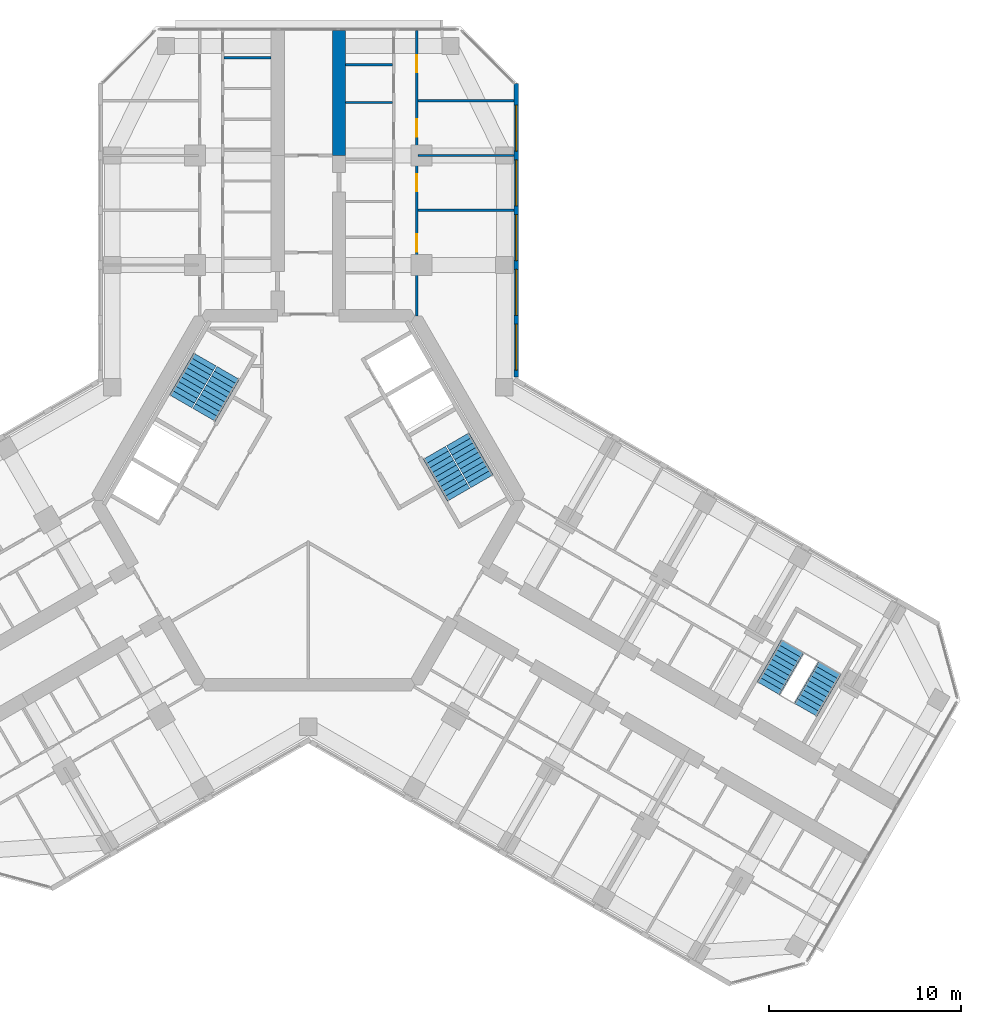
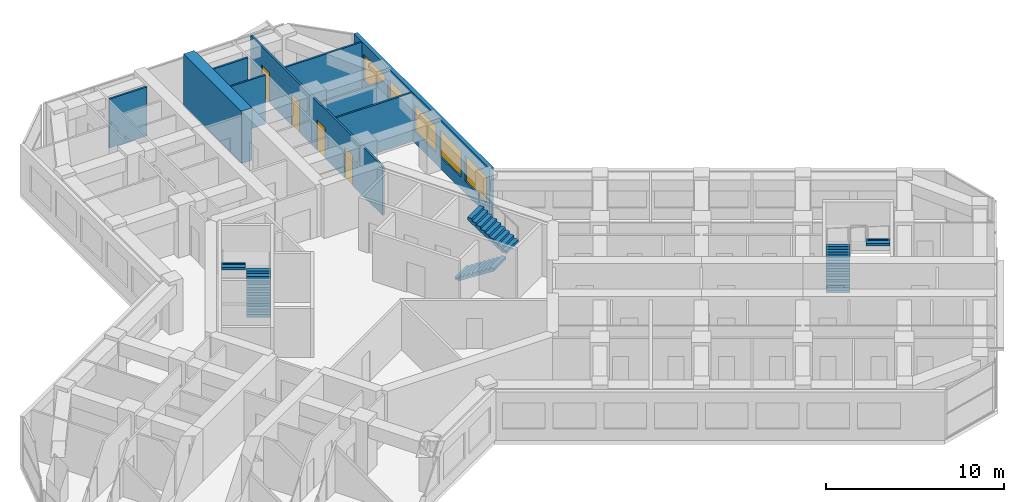
# One storey, part 15 of 16: 9 walls, 6 stair flights, 5 windows, 4 doors, 9 openings, 3 elements without a shape of their own.
"""IFC4 building model written with IfcOpenShell, lengths in metres."""

from ifc_helpers import new_model, si_unit, direction, frame, frame_2d, origin, place, context, subcontext, project, spatial, polyline, rectangle, outline, extrude, material, layer, layer_set, type_object, element, fill, aggregate, save


model = new_model("IFC4")

# Units and contexts
model_context = context("Model", 3, precision=1e-05, world=origin(), true_north=direction((0.0, 1.0)))
body_context = subcontext(model_context, "Body", "Model", "MODEL_VIEW")
ifc_project = project(units=[si_unit("LENGTHUNIT", "METRE"), si_unit("AREAUNIT", "SQUARE_METRE"), si_unit("VOLUMEUNIT", "CUBIC_METRE"), si_unit("PLANEANGLEUNIT", "RADIAN"), si_unit("MASSUNIT", "GRAM", prefix="KILO")], contexts=[model_context])

# Site, building, storey
site_placement = place(None, origin())
site = spatial("IfcSite", under=ifc_project, at=site_placement, CompositionType="ELEMENT")
building_placement = place(site_placement, origin())
building = spatial("IfcBuilding", under=site, at=building_placement, Name="Kosmar Iwan School Tower", CompositionType="ELEMENT")
storey_placement = place(building_placement, frame((0.0, 0.0, 219.0)))
storey = spatial("IfcBuildingStorey", under=building, at=storey_placement, Name="L55", CompositionType="ELEMENT", Elevation=219.0)

# Walls
ifc_material_1 = material(Name="Concrete C50/60", Category="concrete")
ifc_layer_1 = layer(ifc_material_1, 0.699951171875)
ifc_layer_set_1 = layer_set([ifc_layer_1], Name="Corridor buttress wall 700")
wall_type_1 = type_object("IfcWallType", Name="Corridor buttress wall 700", PredefinedType="SHEAR", material=ifc_layer_set_1)
wall_1_placement = place(storey_placement, frame((1.60009765625, 17.949951171875, 0.0), z_axis=(0.0, 0.0, 1.0), x_axis=(0.0, 1.0, 0.0)))
element("IfcWall", 1, at=wall_1_placement, inside=storey, type_object=wall_type_1, Name="Corridor wall AR bay 2", PredefinedType="SHEAR", context=body_context, shape_type="SweptSolid", body=[
    extrude(rectangle(XDim=6.4951171875, YDim=0.699951171875, at=frame_2d((3.24755859375, 0.0))), origin(), (0.0, 0.0, 1.0), 3.60009765625),
])
ifc_material_2 = material(Name="Gypsum board on steel studs", Category="steel")
ifc_layer_2 = layer(ifc_material_2, 0.1201171875)
ifc_layer_set_2 = layer_set([ifc_layer_2], Name="Dwelling partition 120")
wall_type_2 = type_object("IfcWallType", Name="Dwelling partition 120", PredefinedType="PARTITIONING", material=ifc_layer_set_2)
wall_2_placement = place(storey_placement, frame((-1.949951171875, 23.043212890625, 0.0), z_axis=(0.0, 0.0, 1.0), x_axis=(-1.0, 0.0, 0.0)))
element("IfcWall", 2, at=wall_2_placement, inside=storey, type_object=wall_type_2, Name="Partition L55-AL1-Y7", PredefinedType="PARTITIONING", context=body_context, shape_type="SweptSolid", body=[
    extrude(rectangle(XDim=2.43994140625, YDim=0.1201171875, at=frame_2d((1.219970703125, 0.0))), origin(), (0.0, 0.0, 1.0), 3.35009765625),
])

# Wall, openings, doors
wall_3_placement = place(storey_placement, frame((5.64990234375, 9.60009765625, 0.0), z_axis=(0.0, 0.0, 1.0), x_axis=(0.0, 1.0, 0.0)))
wall_3 = element("IfcWall", 3, at=wall_3_placement, inside=storey, type_object=wall_type_2, Name="Partition L55-AR1-W2", PredefinedType="PARTITIONING", context=body_context, shape_type="SweptSolid", body=[
    extrude(rectangle(XDim=14.844970703125, YDim=0.1201171875, at=frame_2d((7.42236328125, 0.0))), origin(), (0.0, 0.0, 1.0), 3.35009765625),
])
opening_1_placement = place(wall_3_placement, frame((3.35009765625, 0.0, 0.0)))
opening_1 = element("IfcOpeningElement", 4, at=opening_1_placement, cuts=wall_3, Name="Opening D2", PredefinedType="OPENING", context=body_context, shape_type="SweptSolid", body=[
    extrude(rectangle(XDim=0.89990234375, YDim=2.10009765625, at=frame_2d((0.449951171875, 1.050048828125))), frame((0.0, 0.072021484375, 0.0), z_axis=(0.0, -1.0, 0.0), x_axis=(1.0, 0.0, 0.0)), (0.0, 0.0, 1.0), 0.14404296875),
])
opening_2_placement = place(wall_3_placement, frame((6.47509765625, 0.0, 0.0)))
opening_2 = element("IfcOpeningElement", 5, at=opening_2_placement, cuts=wall_3, Name="Opening D2", PredefinedType="OPENING", context=body_context, shape_type="SweptSolid", body=[
    extrude(rectangle(XDim=0.89990234375, YDim=2.10009765625, at=frame_2d((0.449951171875, 1.050048828125))), frame((0.0, 0.072021484375, 0.0), z_axis=(0.0, -1.0, 0.0), x_axis=(1.0, 0.0, 0.0)), (0.0, 0.0, 1.0), 0.14404296875),
])
opening_3_placement = place(wall_3_placement, frame((9.324951171875, 0.0, 0.0)))
opening_3 = element("IfcOpeningElement", 6, at=opening_3_placement, cuts=wall_3, Name="Opening D2", PredefinedType="OPENING", context=body_context, shape_type="SweptSolid", body=[
    extrude(rectangle(XDim=0.89990234375, YDim=2.10009765625, at=frame_2d((0.449951171875, 1.050048828125))), frame((0.0, 0.072021484375, 0.0), z_axis=(0.0, -1.0, 0.0), x_axis=(1.0, 0.0, 0.0)), (0.0, 0.0, 1.0), 0.14404296875),
])
opening_4_placement = place(wall_3_placement, frame((12.675048828125, 0.0, 0.0)))
opening_4 = element("IfcOpeningElement", 7, at=opening_4_placement, cuts=wall_3, Name="Opening D2", PredefinedType="OPENING", context=body_context, shape_type="SweptSolid", body=[
    extrude(rectangle(XDim=0.89990234375, YDim=2.10009765625, at=frame_2d((0.449951171875, 1.050048828125))), frame((0.0, 0.072021484375, 0.0), z_axis=(0.0, -1.0, 0.0), x_axis=(1.0, 0.0, 0.0)), (0.0, 0.0, 1.0), 0.14404296875),
])
ifc_material_3 = material(Name="Timber door in timber frame", Category="wood")
door_type = type_object("IfcDoorType", Name="Internal door 900x2100", OperationType="SINGLE_SWING_LEFT", PredefinedType="DOOR", material=ifc_material_3)
door_1_placement = place(opening_1_placement, origin())
door_1 = element("IfcDoor", 8, at=door_1_placement, inside=storey, type_object=door_type, Name="Family room and kitchen door L55-AR1-F1", OperationType="SINGLE_SWING_LEFT", OverallHeight=2.10009765625, OverallWidth=0.89990234375, PredefinedType="DOOR", context=body_context, shape_type="SweptSolid", body=[
    extrude(rectangle(XDim=0.89990234375, YDim=2.10009765625, at=frame_2d((0.449951171875, 1.050048828125))), frame((0.0, 0.02490234375, 0.0), z_axis=(0.0, -1.0, 0.0), x_axis=(1.0, 0.0, 0.0)), (0.0, 0.0, 1.0), 0.050048828125),
])
fill(opening_1, door_1)
door_2_placement = place(opening_2_placement, origin())
door_2 = element("IfcDoor", 9, at=door_2_placement, inside=storey, type_object=door_type, Name="Bedroom 1 door L55-AR1-F2", OperationType="SINGLE_SWING_LEFT", OverallHeight=2.10009765625, OverallWidth=0.89990234375, PredefinedType="DOOR", context=body_context, shape_type="SweptSolid", body=[
    extrude(rectangle(XDim=0.89990234375, YDim=2.10009765625, at=frame_2d((0.449951171875, 1.050048828125))), frame((0.0, 0.02490234375, 0.0), z_axis=(0.0, -1.0, 0.0), x_axis=(1.0, 0.0, 0.0)), (0.0, 0.0, 1.0), 0.050048828125),
])
fill(opening_2, door_2)
door_3_placement = place(opening_3_placement, origin())
door_3 = element("IfcDoor", 10, at=door_3_placement, inside=storey, type_object=door_type, Name="Bedroom 2 door L55-AR1-F3", OperationType="SINGLE_SWING_RIGHT", OverallHeight=2.10009765625, OverallWidth=0.89990234375, PredefinedType="DOOR", context=body_context, shape_type="SweptSolid", body=[
    extrude(rectangle(XDim=0.89990234375, YDim=2.10009765625, at=frame_2d((0.449951171875, 1.050048828125))), frame((0.0, 0.02490234375, 0.0), z_axis=(0.0, -1.0, 0.0), x_axis=(1.0, 0.0, 0.0)), (0.0, 0.0, 1.0), 0.050048828125),
])
fill(opening_3, door_3)
door_4_placement = place(opening_4_placement, origin())
door_4 = element("IfcDoor", 11, at=door_4_placement, inside=storey, type_object=door_type, Name="Bedroom 3 door L55-AR1-F4", OperationType="SINGLE_SWING_RIGHT", OverallHeight=2.10009765625, OverallWidth=0.89990234375, PredefinedType="DOOR", context=body_context, shape_type="SweptSolid", body=[
    extrude(rectangle(XDim=0.89990234375, YDim=2.10009765625, at=frame_2d((0.449951171875, 1.050048828125))), frame((0.0, 0.02490234375, 0.0), z_axis=(0.0, -1.0, 0.0), x_axis=(1.0, 0.0, 0.0)), (0.0, 0.0, 1.0), 0.050048828125),
])
fill(opening_4, door_4)

# Walls
wall_4_placement = place(storey_placement, frame((5.7099609375, 15.10009765625, 0.0), z_axis=(0.0, 0.0, 1.0), x_axis=(1.0, 0.0, 0.0)))
element("IfcWall", 12, at=wall_4_placement, inside=storey, type_object=wall_type_2, Name="Partition L55-AR1-X1", PredefinedType="PARTITIONING", context=body_context, shape_type="SweptSolid", body=[
    extrude(rectangle(XDim=4.989990234375, YDim=0.1201171875, at=frame_2d((2.4951171875, 0.0))), origin(), (0.0, 0.0, 1.0), 3.35009765625),
])
wall_5_placement = place(storey_placement, frame((5.7099609375, 17.949951171875, 0.0), z_axis=(0.0, 0.0, 1.0), x_axis=(1.0, 0.0, 0.0)))
element("IfcWall", 13, at=wall_5_placement, inside=storey, type_object=wall_type_2, Name="Partition L55-AR1-X2", PredefinedType="PARTITIONING", context=body_context, shape_type="SweptSolid", body=[
    extrude(rectangle(XDim=4.989990234375, YDim=0.1201171875, at=frame_2d((2.4951171875, 0.0))), origin(), (0.0, 0.0, 1.0), 2.449951171875),
])
wall_6_placement = place(storey_placement, frame((5.7099609375, 20.800048828125, 0.0), z_axis=(0.0, 0.0, 1.0), x_axis=(1.0, 0.0, 0.0)))
element("IfcWall", 14, at=wall_6_placement, inside=storey, type_object=wall_type_2, Name="Partition L55-AR1-X3", PredefinedType="PARTITIONING", context=body_context, shape_type="SweptSolid", body=[
    extrude(rectangle(XDim=4.989990234375, YDim=0.1201171875, at=frame_2d((2.4951171875, 0.0))), origin(), (0.0, 0.0, 1.0), 3.35009765625),
])
for number, where, z_axis, x_axis, name in (
    (15, (1.949951171875, 20.70703125, 0.0), (0.0, 0.0, 1.0), (1.0, 0.0, 0.0), "Partition L55-AR1-Y5"),
    (16, (1.949951171875, 22.678466796875, 0.0), (0.0, 0.0, 1.0), (1.0, 0.0, 0.0), "Partition L55-AR1-Y6"),
):
    element("IfcWall", number, at=place(storey_placement, frame(where, z_axis=z_axis, x_axis=x_axis)), inside=storey, type_object=wall_type_2, Name=name, PredefinedType="PARTITIONING", context=body_context, shape_type="SweptSolid", body=[
        extrude(rectangle(XDim=2.43994140625, YDim=0.1201171875, at=frame_2d((1.219970703125, 0.0))), origin(), (0.0, 0.0, 1.0), 3.35009765625),
    ])

# Wall, openings, windows
ifc_material_4 = material(Name="Black aluminium rainscreen on insulated framing", Category="aluminium")
ifc_layer_3 = layer(ifc_material_4, 0.25)
ifc_layer_set_3 = layer_set([ifc_layer_3], Name="External wall rainscreen 250")
wall_type_3 = type_object("IfcWallType", Name="External wall rainscreen 250", PredefinedType="SOLIDWALL", material=ifc_layer_set_3)
wall_7_placement = place(storey_placement, frame((10.824951171875, 6.408935546875, 0.0), z_axis=(0.0, 0.0, 1.0), x_axis=(0.0, 1.0, 0.0)))
wall_7 = element("IfcWall", 17, at=wall_7_placement, inside=storey, type_object=wall_type_3, Name="External wall AR L55", PredefinedType="SOLIDWALL", context=body_context, shape_type="SweptSolid", body=[
    extrude(rectangle(XDim=15.2763671875, YDim=0.25, at=frame_2d((7.63818359375, 0.0))), origin(), (0.0, 0.0, 1.0), 3.35009765625),
])
opening_5_placement = place(wall_7_placement, frame((0.365966796875, 0.0, 0.800048828125)))
opening_5 = element("IfcOpeningElement", 18, at=opening_5_placement, cuts=wall_7, Name="Opening W5", PredefinedType="OPENING", context=body_context, shape_type="SweptSolid", body=[
    extrude(rectangle(XDim=2.39990234375, YDim=1.800048828125, at=frame_2d((1.199951171875, 0.89990234375))), frame((0.0, 0.136962890625, 0.0), z_axis=(0.0, -1.0, 0.0), x_axis=(1.0, 0.0, 0.0)), (0.0, 0.0, 1.0), 0.27392578125),
])
opening_6_placement = place(wall_7_placement, frame((3.216064453125, 0.0, 0.800048828125)))
opening_6 = element("IfcOpeningElement", 19, at=opening_6_placement, cuts=wall_7, Name="Opening W5", PredefinedType="OPENING", context=body_context, shape_type="SweptSolid", body=[
    extrude(rectangle(XDim=2.39990234375, YDim=1.800048828125, at=frame_2d((1.199951171875, 0.89990234375))), frame((0.0, 0.136962890625, 0.0), z_axis=(0.0, -1.0, 0.0), x_axis=(1.0, 0.0, 0.0)), (0.0, 0.0, 1.0), 0.27392578125),
])
opening_7_placement = place(wall_7_placement, frame((6.06591796875, 0.0, 0.800048828125)))
opening_7 = element("IfcOpeningElement", 20, at=opening_7_placement, cuts=wall_7, Name="Opening W5", PredefinedType="OPENING", context=body_context, shape_type="SweptSolid", body=[
    extrude(rectangle(XDim=2.39990234375, YDim=1.800048828125, at=frame_2d((1.199951171875, 0.89990234375))), frame((0.0, 0.136962890625, 0.0), z_axis=(0.0, -1.0, 0.0), x_axis=(1.0, 0.0, 0.0)), (0.0, 0.0, 1.0), 0.27392578125),
])
opening_8_placement = place(wall_7_placement, frame((8.916015625, 0.0, 0.800048828125)))
opening_8 = element("IfcOpeningElement", 21, at=opening_8_placement, cuts=wall_7, Name="Opening W5", PredefinedType="OPENING", context=body_context, shape_type="SweptSolid", body=[
    extrude(rectangle(XDim=2.39990234375, YDim=1.800048828125, at=frame_2d((1.199951171875, 0.89990234375))), frame((0.0, 0.136962890625, 0.0), z_axis=(0.0, -1.0, 0.0), x_axis=(1.0, 0.0, 0.0)), (0.0, 0.0, 1.0), 0.27392578125),
])
opening_9_placement = place(wall_7_placement, frame((11.76611328125, 0.0, 0.800048828125)))
opening_9 = element("IfcOpeningElement", 22, at=opening_9_placement, cuts=wall_7, Name="Opening W5", PredefinedType="OPENING", context=body_context, shape_type="SweptSolid", body=[
    extrude(rectangle(XDim=2.39990234375, YDim=1.800048828125, at=frame_2d((1.199951171875, 0.89990234375))), frame((0.0, 0.136962890625, 0.0), z_axis=(0.0, -1.0, 0.0), x_axis=(1.0, 0.0, 0.0)), (0.0, 0.0, 1.0), 0.27392578125),
])
ifc_material_5 = material(Name="Black aluminium frame with dark triple glazing", Category="aluminium")
window_type = type_object("IfcWindowType", Name="Window 2400x1800", PartitioningType="SINGLE_PANEL", PredefinedType="WINDOW", material=ifc_material_5)
window_1_placement = place(opening_5_placement, origin())
window_1 = element("IfcWindow", 23, at=window_1_placement, inside=storey, type_object=window_type, Name="Window AR L55 -1", OverallHeight=1.800048828125, OverallWidth=2.39990234375, PartitioningType="SINGLE_PANEL", PredefinedType="WINDOW", context=body_context, shape_type="SweptSolid", body=[
    extrude(rectangle(XDim=2.39990234375, YDim=1.800048828125, at=frame_2d((1.199951171875, 0.89990234375))), frame((0.0, 0.030029296875, 0.0), z_axis=(0.0, -1.0, 0.0), x_axis=(1.0, 0.0, 0.0)), (0.0, 0.0, 1.0), 0.06005859375),
])
fill(opening_5, window_1)
window_2_placement = place(opening_6_placement, origin())
window_2 = element("IfcWindow", 24, at=window_2_placement, inside=storey, type_object=window_type, Name="Window AR L55 0", OverallHeight=1.800048828125, OverallWidth=2.39990234375, PartitioningType="SINGLE_PANEL", PredefinedType="WINDOW", context=body_context, shape_type="SweptSolid", body=[
    extrude(rectangle(XDim=2.39990234375, YDim=1.800048828125, at=frame_2d((1.199951171875, 0.89990234375))), frame((0.0, 0.030029296875, 0.0), z_axis=(0.0, -1.0, 0.0), x_axis=(1.0, 0.0, 0.0)), (0.0, 0.0, 1.0), 0.06005859375),
])
fill(opening_6, window_2)
window_3_placement = place(opening_7_placement, origin())
window_3 = element("IfcWindow", 25, at=window_3_placement, inside=storey, type_object=window_type, Name="Window AR L55 1", OverallHeight=1.800048828125, OverallWidth=2.39990234375, PartitioningType="SINGLE_PANEL", PredefinedType="WINDOW", context=body_context, shape_type="SweptSolid", body=[
    extrude(rectangle(XDim=2.39990234375, YDim=1.800048828125, at=frame_2d((1.199951171875, 0.89990234375))), frame((0.0, 0.030029296875, 0.0), z_axis=(0.0, -1.0, 0.0), x_axis=(1.0, 0.0, 0.0)), (0.0, 0.0, 1.0), 0.06005859375),
])
fill(opening_7, window_3)
window_4_placement = place(opening_8_placement, origin())
window_4 = element("IfcWindow", 26, at=window_4_placement, inside=storey, type_object=window_type, Name="Window AR L55 2", OverallHeight=1.800048828125, OverallWidth=2.39990234375, PartitioningType="SINGLE_PANEL", PredefinedType="WINDOW", context=body_context, shape_type="SweptSolid", body=[
    extrude(rectangle(XDim=2.39990234375, YDim=1.800048828125, at=frame_2d((1.199951171875, 0.89990234375))), frame((0.0, 0.030029296875, 0.0), z_axis=(0.0, -1.0, 0.0), x_axis=(1.0, 0.0, 0.0)), (0.0, 0.0, 1.0), 0.06005859375),
])
fill(opening_8, window_4)
window_5_placement = place(opening_9_placement, origin())
window_5 = element("IfcWindow", 27, at=window_5_placement, inside=storey, type_object=window_type, Name="Window AR L55 3", OverallHeight=1.800048828125, OverallWidth=2.39990234375, PartitioningType="SINGLE_PANEL", PredefinedType="WINDOW", context=body_context, shape_type="SweptSolid", body=[
    extrude(rectangle(XDim=2.39990234375, YDim=1.800048828125, at=frame_2d((1.199951171875, 0.89990234375))), frame((0.0, 0.030029296875, 0.0), z_axis=(0.0, -1.0, 0.0), x_axis=(1.0, 0.0, 0.0)), (0.0, 0.0, 1.0), 0.06005859375),
])
fill(opening_9, window_5)

# Stair, stair flights
ifc_material_6 = material(Name="Concrete C35/45", Category="concrete")
stair_type_1 = type_object("IfcStairType", Name="Escape stair 3600", PredefinedType="HALF_TURN_STAIR", material=ifc_material_6)
stair_1_placement = place(storey_placement, origin())
stair_1 = element("IfcStair", 28, at=stair_1_placement, inside=storey, type_object=stair_type_1, Name="Stair WS3 L55", PredefinedType="HALF_TURN_STAIR")
ifc_material_7 = material(Name="Concrete C35/45", Category="concrete")
stair_flight_type_1 = type_object("IfcStairFlightType", Name="Escape stair flight 1350", PredefinedType="STRAIGHT", material=ifc_material_7)
stair_flight_1_placement = place(storey_placement, frame((23.94189453125, -9.781494140625, 0.0), z_axis=(0.0, 0.0, 1.0), x_axis=(0.5, 0.866025403784, 0.0)))
stair_flight_1 = element("IfcStairFlight", 29, at=stair_flight_1_placement, type_object=stair_flight_type_1, Name="WS3 flight 1", NumberOfRisers=10, NumberOfTreads=9, PredefinedType="STRAIGHT", RiserHeight=0.18, TreadLength=0.28, context=body_context, shape_type="SweptSolid", body=[
    extrude(outline(polyline([(0.0, 0.0), (0.0, 0.179931640625), (0.280029296875, 0.179931640625), (0.280029296875, 0.360107421875), (0.56005859375, 0.360107421875), (0.56005859375, 0.5400390625), (0.840087890625, 0.5400390625), (0.840087890625, 0.719970703125), (1.1201171875, 0.719970703125), (1.1201171875, 0.89990234375), (1.39990234375, 0.89990234375), (1.39990234375, 1.080078125), (1.679931640625, 1.080078125), (1.679931640625, 1.260009765625), (1.9599609375, 1.260009765625), (1.9599609375, 1.43994140625), (2.239990234375, 1.43994140625), (2.239990234375, 1.6201171875), (2.52001953125, 1.6201171875), (2.52001953125, 1.800048828125), (2.52001953125, 1.44189453125), (0.277099609375, 0.0), (0.0, 0.0)])), frame((0.0, 0.675048828125, 0.0), z_axis=(0.0, -1.0, 0.0), x_axis=(1.0, 0.0, 0.0)), (0.0, 0.0, 1.0), 1.35009765625),
])
stair_flight_2_placement = place(storey_placement, frame((27.150390625, -8.72412109375, 1.800048828125), z_axis=(0.0, 0.0, 1.0), x_axis=(-0.5, -0.866025403784, 0.0)))
stair_flight_2 = element("IfcStairFlight", 30, at=stair_flight_2_placement, type_object=stair_flight_type_1, Name="WS3 flight 2", NumberOfRisers=10, NumberOfTreads=9, PredefinedType="STRAIGHT", RiserHeight=0.18, TreadLength=0.28, context=body_context, shape_type="SweptSolid", body=[
    extrude(outline(polyline([(0.0, 0.0), (0.0, 0.179931640625), (0.280029296875, 0.179931640625), (0.280029296875, 0.360107421875), (0.56005859375, 0.360107421875), (0.56005859375, 0.5400390625), (0.840087890625, 0.5400390625), (0.840087890625, 0.719970703125), (1.1201171875, 0.719970703125), (1.1201171875, 0.89990234375), (1.39990234375, 0.89990234375), (1.39990234375, 1.080078125), (1.679931640625, 1.080078125), (1.679931640625, 1.260009765625), (1.9599609375, 1.260009765625), (1.9599609375, 1.43994140625), (2.239990234375, 1.43994140625), (2.239990234375, 1.6201171875), (2.52001953125, 1.6201171875), (2.52001953125, 1.800048828125), (2.52001953125, 1.44189453125), (0.277099609375, 0.0), (0.0, 0.0)])), frame((0.0, 0.675048828125, 0.0), z_axis=(0.0, -1.0, 0.0), x_axis=(1.0, 0.0, 0.0)), (0.0, 0.0, 1.0), 1.35009765625),
])
aggregate(stair_1, [stair_flight_1, stair_flight_2])

ifc_material_8 = material(Name="Concrete C35/45", Category="concrete")
stair_type_2 = type_object("IfcStairType", Name="Core stair 2750", PredefinedType="HALF_TURN_STAIR", material=ifc_material_8)
stair_2_placement = place(storey_placement, origin())
stair_2 = element("IfcStair", 31, at=stair_2_placement, inside=storey, type_object=stair_type_2, Name="Stair ST2 L55", PredefinedType="HALF_TURN_STAIR")
ifc_material_9 = material(Name="Concrete C35/45", Category="concrete")
stair_flight_type_2 = type_object("IfcStairFlightType", Name="Stair flight 1350", PredefinedType="STRAIGHT", material=ifc_material_9)
stair_flight_3_placement = place(storey_placement, frame((-5.42724609375, 4.44970703125, 0.0), z_axis=(0.0, 0.0, 1.0), x_axis=(0.5, 0.866025403784, 0.0)))
stair_flight_3 = element("IfcStairFlight", 32, at=stair_flight_3_placement, type_object=stair_flight_type_2, Name="ST2 flight 1", NumberOfRisers=10, NumberOfTreads=9, PredefinedType="STRAIGHT", RiserHeight=0.18, TreadLength=0.28, context=body_context, shape_type="SweptSolid", body=[
    extrude(outline(polyline([(0.0, 0.0), (0.0, 0.179931640625), (0.280029296875, 0.179931640625), (0.280029296875, 0.360107421875), (0.56005859375, 0.360107421875), (0.56005859375, 0.5400390625), (0.840087890625, 0.5400390625), (0.840087890625, 0.719970703125), (1.1201171875, 0.719970703125), (1.1201171875, 0.89990234375), (1.39990234375, 0.89990234375), (1.39990234375, 1.080078125), (1.679931640625, 1.080078125), (1.679931640625, 1.260009765625), (1.9599609375, 1.260009765625), (1.9599609375, 1.43994140625), (2.239990234375, 1.43994140625), (2.239990234375, 1.6201171875), (2.52001953125, 1.6201171875), (2.52001953125, 1.800048828125), (2.52001953125, 1.44189453125), (0.277099609375, 0.0), (0.0, 0.0)])), frame((0.0, 0.675048828125, 0.0), z_axis=(0.0, -1.0, 0.0), x_axis=(1.0, 0.0, 0.0)), (0.0, 0.0, 1.0), 1.35009765625),
])
stair_flight_4_placement = place(storey_placement, frame((-5.379638671875, 7.33203125, 1.800048828125), z_axis=(0.0, 0.0, 1.0), x_axis=(-0.5, -0.866025403784, 0.0)))
stair_flight_4 = element("IfcStairFlight", 33, at=stair_flight_4_placement, type_object=stair_flight_type_2, Name="ST2 flight 2", NumberOfRisers=10, NumberOfTreads=9, PredefinedType="STRAIGHT", RiserHeight=0.18, TreadLength=0.28, context=body_context, shape_type="SweptSolid", body=[
    extrude(outline(polyline([(0.0, 0.0), (0.0, 0.179931640625), (0.280029296875, 0.179931640625), (0.280029296875, 0.360107421875), (0.56005859375, 0.360107421875), (0.56005859375, 0.5400390625), (0.840087890625, 0.5400390625), (0.840087890625, 0.719970703125), (1.1201171875, 0.719970703125), (1.1201171875, 0.89990234375), (1.39990234375, 0.89990234375), (1.39990234375, 1.080078125), (1.679931640625, 1.080078125), (1.679931640625, 1.260009765625), (1.9599609375, 1.260009765625), (1.9599609375, 1.43994140625), (2.239990234375, 1.43994140625), (2.239990234375, 1.6201171875), (2.52001953125, 1.6201171875), (2.52001953125, 1.800048828125), (2.52001953125, 1.44189453125), (0.277099609375, 0.0), (0.0, 0.0)])), frame((0.0, 0.675048828125, 0.0), z_axis=(0.0, -1.0, 0.0), x_axis=(1.0, 0.0, 0.0)), (0.0, 0.0, 1.0), 1.35009765625),
])
aggregate(stair_2, [stair_flight_3, stair_flight_4])

stair_3_placement = place(storey_placement, origin())
stair_3 = element("IfcStair", 34, at=stair_3_placement, inside=storey, type_object=stair_type_2, Name="Stair ST1 L55", PredefinedType="HALF_TURN_STAIR")
stair_flight_5_placement = place(storey_placement, frame((6.567138671875, 2.475341796875, 0.0), z_axis=(0.0, 0.0, 1.0), x_axis=(0.5, -0.866025403784, 0.0)))
stair_flight_5 = element("IfcStairFlight", 35, at=stair_flight_5_placement, type_object=stair_flight_type_2, Name="ST1 flight 1", NumberOfRisers=10, NumberOfTreads=9, PredefinedType="STRAIGHT", RiserHeight=0.18, TreadLength=0.28, context=body_context, shape_type="SweptSolid", body=[
    extrude(outline(polyline([(0.0, 0.0), (0.0, 0.179931640625), (0.280029296875, 0.179931640625), (0.280029296875, 0.360107421875), (0.56005859375, 0.360107421875), (0.56005859375, 0.5400390625), (0.840087890625, 0.5400390625), (0.840087890625, 0.719970703125), (1.1201171875, 0.719970703125), (1.1201171875, 0.89990234375), (1.39990234375, 0.89990234375), (1.39990234375, 1.080078125), (1.679931640625, 1.080078125), (1.679931640625, 1.260009765625), (1.9599609375, 1.260009765625), (1.9599609375, 1.43994140625), (2.239990234375, 1.43994140625), (2.239990234375, 1.6201171875), (2.52001953125, 1.6201171875), (2.52001953125, 1.800048828125), (2.52001953125, 1.44189453125), (0.277099609375, 0.0), (0.0, 0.0)])), frame((0.0, 0.675048828125, 0.0), z_axis=(0.0, -1.0, 0.0), x_axis=(1.0, 0.0, 0.0)), (0.0, 0.0, 1.0), 1.35009765625),
])
stair_flight_6_placement = place(storey_placement, frame((9.03955078125, 0.992919921875, 1.800048828125), z_axis=(0.0, 0.0, 1.0), x_axis=(-0.5, 0.866025403784, 0.0)))
stair_flight_6 = element("IfcStairFlight", 36, at=stair_flight_6_placement, type_object=stair_flight_type_2, Name="ST1 flight 2", NumberOfRisers=10, NumberOfTreads=9, PredefinedType="STRAIGHT", RiserHeight=0.18, TreadLength=0.28, context=body_context, shape_type="SweptSolid", body=[
    extrude(outline(polyline([(0.0, 0.0), (0.0, 0.179931640625), (0.280029296875, 0.179931640625), (0.280029296875, 0.360107421875), (0.56005859375, 0.360107421875), (0.56005859375, 0.5400390625), (0.840087890625, 0.5400390625), (0.840087890625, 0.719970703125), (1.1201171875, 0.719970703125), (1.1201171875, 0.89990234375), (1.39990234375, 0.89990234375), (1.39990234375, 1.080078125), (1.679931640625, 1.080078125), (1.679931640625, 1.260009765625), (1.9599609375, 1.260009765625), (1.9599609375, 1.43994140625), (2.239990234375, 1.43994140625), (2.239990234375, 1.6201171875), (2.52001953125, 1.6201171875), (2.52001953125, 1.800048828125), (2.52001953125, 1.44189453125), (0.277099609375, 0.0), (0.0, 0.0)])), frame((0.0, 0.675048828125, 0.0), z_axis=(0.0, -1.0, 0.0), x_axis=(1.0, 0.0, 0.0)), (0.0, 0.0, 1.0), 1.35009765625),
])
aggregate(stair_3, [stair_flight_5, stair_flight_6])

save(model, "model.ifc")
